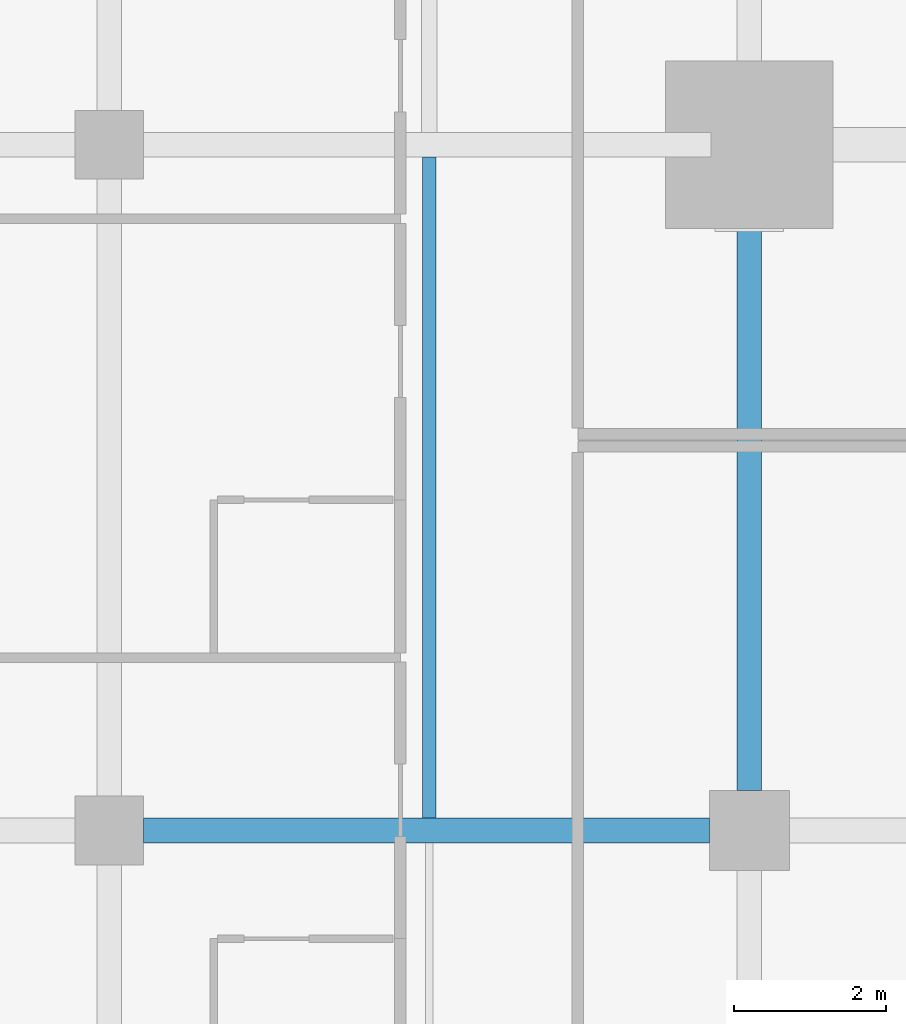
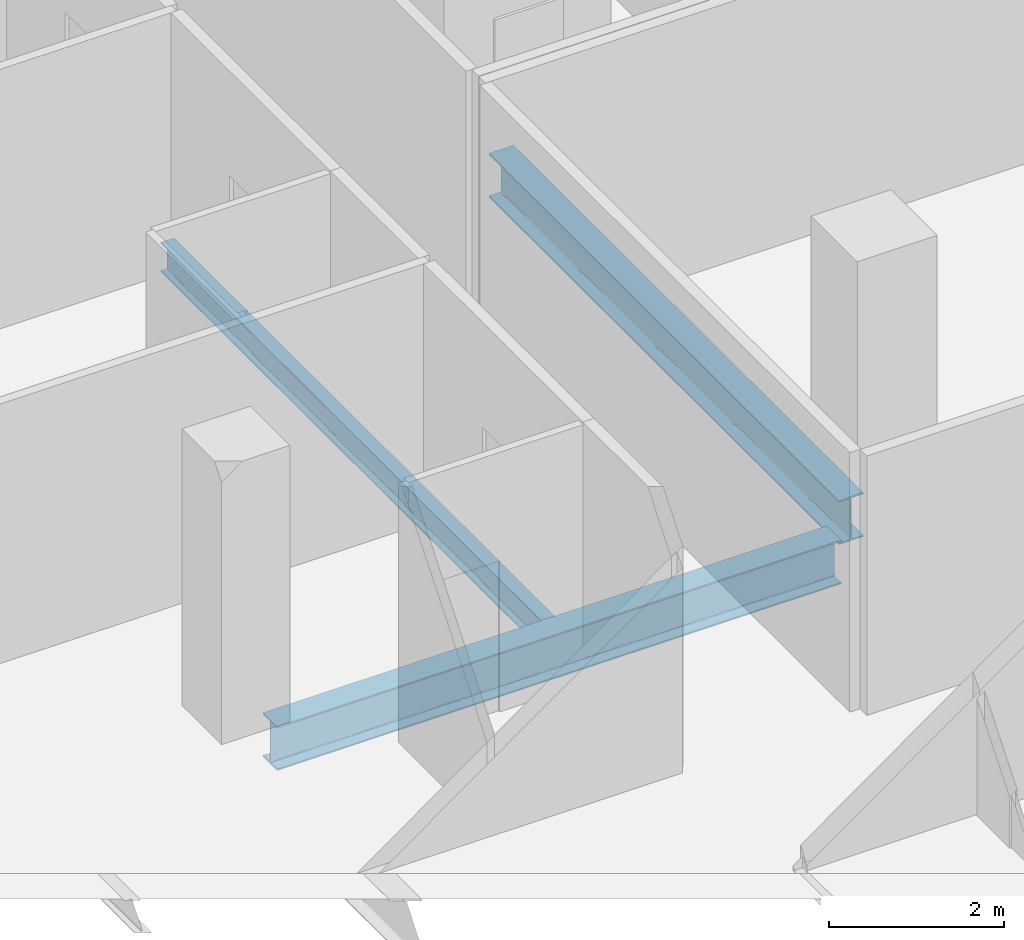
# One storey, part 11 of 40: 3 beams.
"""IFC4 building model written with IfcOpenShell, lengths in metres."""

import ifcopenshell
import ifcopenshell.guid

model = None  # the IFC model being written
_history = None  # IfcOwnerHistory: only IFC2X3 demands one
_inside = {}  # id of a spatial element -> (the spatial element, [elements in it])
_under = {}  # id of a project, library or spatial element -> (it, [spatial elements below it])
_declared = {}  # id of a project -> (the project, [libraries it declares])
_typed = {}  # id of a type object -> (the type object, [elements of that type])
_made_of = {}  # id of a material, layer set ... -> (it, [elements and type objects made of it])


def new_model(schema):
    """Start an empty IFC model of exactly this schema.

    Asked for "IFC4X3", IfcOpenShell would pick the latest addendum, in which some entities
    have other attributes; the version numbers below select the first issue.
    IFC2X3 requires an IfcOwnerHistory on every rooted entity: one is made here for all.
    """
    global model, _history
    if schema == "IFC4X3":
        model = ifcopenshell.file(schema_version=(4, 3, 0, 0))
    else:
        model = ifcopenshell.file(schema=schema)
    _inside.clear()
    _under.clear()
    _declared.clear()
    _typed.clear()
    _made_of.clear()
    _history = None
    if model.schema == "IFC2X3":
        org = make("IfcOrganization", Name="unknown")
        user = make(
            "IfcPersonAndOrganization",
            ThePerson=make("IfcPerson", FamilyName="unknown"),
            TheOrganization=org,
        )
        app = make(
            "IfcApplication",
            ApplicationDeveloper=org,
            Version="unknown",
            ApplicationFullName="unknown",
            ApplicationIdentifier="unknown",
        )
        _history = make(
            "IfcOwnerHistory",
            OwningUser=user,
            OwningApplication=app,
            ChangeAction="ADDED",
            CreationDate=0,
        )
    return model


def make(cls, **values):
    """One entity of the class cls with the attributes given. An attribute that is None is left unset."""
    return model.create_entity(
        cls, **{name: value for name, value in values.items() if value is not None}
    )


def rooted(cls, **values):
    """An entity with a GlobalId (a new one), such as an element, a storey or a relation."""
    return make(cls, GlobalId=ifcopenshell.guid.new(), OwnerHistory=_history, **values)


def si_unit(unit_type, name, prefix=None):
    """IfcSIUnit, for example si_unit("LENGTHUNIT", "METRE", prefix="MILLI")."""
    return make("IfcSIUnit", UnitType=unit_type, Prefix=prefix, Name=name)


def assignment(units):
    """IfcUnitAssignment: the units of a project."""
    return None if units is None else make("IfcUnitAssignment", Units=units)


def point(xyz):
    """IfcCartesianPoint."""
    return None if xyz is None else make("IfcCartesianPoint", Coordinates=xyz)


def direction(xyz):
    """IfcDirection."""
    return None if xyz is None else make("IfcDirection", DirectionRatios=xyz)


def frame(location, z_axis=None, x_axis=None):
    """IfcAxis2Placement3D, a coordinate frame: its origin and axes. An axis left out is left unset."""
    return make(
        "IfcAxis2Placement3D",
        Location=point(location),
        Axis=direction(z_axis),
        RefDirection=direction(x_axis),
    )


def frame_2d(location, x_axis=None):
    """IfcAxis2Placement2D, a coordinate frame in the plane: its origin and x axis."""
    return make(
        "IfcAxis2Placement2D", Location=point(location), RefDirection=direction(x_axis)
    )


def origin():
    """The frame at (0, 0, 0) with its axes left unset."""
    return frame((0.0, 0.0, 0.0))


def origin_2d():
    """The frame at (0, 0) in the plane with its x axis left unset."""
    return frame_2d((0.0, 0.0))


def place(relative_to, where):
    """IfcLocalPlacement: puts the frame where relative to a parent placement (None: the world)."""
    return make(
        "IfcLocalPlacement", PlacementRelTo=relative_to, RelativePlacement=where
    )


def context(
    kind, dimensions, precision=None, world=None, true_north=None, identifier=None
):
    """IfcGeometricRepresentationContext, for example the 3D "Model" context."""
    return make(
        "IfcGeometricRepresentationContext",
        ContextIdentifier=identifier,
        ContextType=kind,
        CoordinateSpaceDimension=dimensions,
        Precision=precision,
        WorldCoordinateSystem=world,
        TrueNorth=true_north,
    )


def subcontext(parent, identifier, kind, view, scale=None):
    """IfcGeometricRepresentationSubContext, for example "Body" below "Model"."""
    return make(
        "IfcGeometricRepresentationSubContext",
        ContextIdentifier=identifier,
        ContextType=kind,
        ParentContext=parent,
        TargetScale=scale,
        TargetView=view,
    )


def project(units=None, contexts=None):
    """IfcProject with its units and contexts."""
    return rooted(
        "IfcProject",
        Name="project",
        RepresentationContexts=contexts,
        UnitsInContext=assignment(units),
    )


def spatial(cls, under=None, at=None, **own):
    """A site, building, storey or space (cls), placed at a placement, below another one or the project."""
    s = rooted(cls, ObjectPlacement=at, **own)
    if under is not None:
        _under.setdefault(under.id(), (under, []))[1].append(s)
    return s


def profile(cls, at=None, kind="AREA", **sizes):
    """A parametric profile (cls). Its sizes go by their IFC names, for example OverallWidth=200.0."""
    return make(cls, ProfileType=kind, Position=at, **sizes)


def i_section(**sizes):
    """IfcIShapeProfileDef."""
    return profile("IfcIShapeProfileDef", **sizes)


def extrude(swept, where, along, depth):
    """IfcExtrudedAreaSolid: the profile swept, set in the frame where, extruded along a direction by depth."""
    return make(
        "IfcExtrudedAreaSolid",
        SweptArea=swept,
        Position=where,
        ExtrudedDirection=direction(along),
        Depth=depth,
    )


def shape(context_of_items, identifier, shape_type, items):
    """IfcShapeRepresentation: the items that make up one representation, for example the "Body"."""
    return make(
        "IfcShapeRepresentation",
        ContextOfItems=context_of_items,
        RepresentationIdentifier=identifier,
        RepresentationType=shape_type,
        Items=items,
    )


def material(Name=None, Category=None):
    """IfcMaterial."""
    return make("IfcMaterial", Name=Name, Category=Category)


def material_profile(
    of_material, cross_section, Name=None, Category=None, Priority=None
):
    """IfcMaterialProfile: a cross section and its material."""
    return make(
        "IfcMaterialProfile",
        Name=Name,
        Material=of_material,
        Profile=cross_section,
        Priority=Priority,
        Category=Category,
    )


def profile_set(profiles, Name=None, composite=None):
    """IfcMaterialProfileSet."""
    return make(
        "IfcMaterialProfileSet",
        Name=Name,
        MaterialProfiles=profiles,
        CompositeProfile=composite,
    )


def made_of(thing, what):
    """Note that an element or type object is made of a material, layer set ...; save() writes the relation."""
    if what is not None:
        _made_of.setdefault(what.id(), (what, []))[1].append(thing)
    return thing


def type_object(cls, material=None, **own):
    """A type object (cls), such as IfcWallType, which elements share."""
    return made_of(rooted(cls, **own), material)


def element(
    cls,
    number,
    at=None,
    inside=None,
    cuts=None,
    type_object=None,
    material=None,
    context=None,
    identifier="Body",
    shape_type=None,
    held_by="IfcProductDefinitionShape",
    body=None,
    shapes=None,
    **own,
):
    """One element of the class cls, such as IfcWall. Its Tag is "e" and its number.

    at: its placement. inside: the storey or other place that contains it. cuts: it is an
    opening in that element (IfcRelVoidsElement). A single representation is given by context,
    identifier, shape_type and body (its items); several are given by shapes. held_by: the class
    of the entity that holds the representations. save() writes the other relations.
    """
    e = rooted(cls, Tag="e%d" % number, ObjectPlacement=at, **own)
    if body is not None:
        shapes = [shape(context, identifier, shape_type, body)]
    if shapes is not None:
        e.Representation = make(held_by, Representations=shapes)
    if inside is not None:
        _inside.setdefault(inside.id(), (inside, []))[1].append(e)
    if cuts is not None:
        rooted(
            "IfcRelVoidsElement", RelatingBuildingElement=cuts, RelatedOpeningElement=e
        )
    if type_object is not None:
        _typed.setdefault(type_object.id(), (type_object, []))[1].append(e)
    return made_of(e, material)


def aggregate(whole, parts):
    """IfcRelAggregates: a whole, such as a stair, and the parts it consists of."""
    return rooted("IfcRelAggregates", RelatingObject=whole, RelatedObjects=parts)


def save(model, path):
    """Write the relations noted so far, then the file.

    IfcRelAggregates (storeys below a building ...), IfcRelContainedInSpatialStructure (elements
    in a storey), IfcRelDefinesByType, IfcRelAssociatesMaterial and IfcRelDeclares: one each for
    every whole, place, type object, material and project.
    """
    for whole, parts in _under.values():
        aggregate(whole, parts)
    for where, things in _inside.values():
        rooted(
            "IfcRelContainedInSpatialStructure",
            RelatedElements=things,
            RelatingStructure=where,
        )
    for kind, things in _typed.values():
        rooted("IfcRelDefinesByType", RelatedObjects=things, RelatingType=kind)
    for what, things in _made_of.values():
        rooted("IfcRelAssociatesMaterial", RelatedObjects=things, RelatingMaterial=what)
    for by, libraries in _declared.values():
        rooted("IfcRelDeclares", RelatingContext=by, RelatedDefinitions=libraries)
    model.write(path)


model = new_model("IFC4")

# Units and contexts
model_context = context("Model", 3, precision=1e-05, world=origin(), true_north=direction((0.0, 1.0)))
body_context = subcontext(model_context, "Body", "Model", "MODEL_VIEW")
ifc_project = project(units=[si_unit("LENGTHUNIT", "METRE"), si_unit("AREAUNIT", "SQUARE_METRE"), si_unit("VOLUMEUNIT", "CUBIC_METRE"), si_unit("PLANEANGLEUNIT", "RADIAN"), si_unit("MASSUNIT", "GRAM", prefix="KILO")], contexts=[model_context])

# Site, building, storey
site_placement = place(None, origin())
site = spatial("IfcSite", under=ifc_project, at=site_placement, CompositionType="ELEMENT")
building_placement = place(site_placement, origin())
building = spatial("IfcBuilding", under=site, at=building_placement, Name="Maruvema Waterfront Hotel and Observation Tower", CompositionType="ELEMENT")
storey_placement = place(building_placement, frame((0.0, 0.0, 96.25)))
storey = spatial("IfcBuildingStorey", under=building, at=storey_placement, Name="L23", CompositionType="ELEMENT", Elevation=96.25)

# Beams
ifc_material_1 = material(Name="Steel ASTM A572 Grade 50", Category="steel")
ifc_material_profile_1 = material_profile(ifc_material_1, i_section(OverallWidth=0.323974609375, OverallDepth=0.611083984375, WebThickness=0.0126953125, FlangeThickness=0.01904296875, FilletRadius=0.01806640625, at=origin_2d()), Name="W610x155.0")
ifc_profile_set_1 = profile_set([ifc_material_profile_1], Name="Steel ASTM A572 Grade 50")
beam_type_1 = type_object("IfcBeamType", Name="Primary Floor Girder W610x155.0", PredefinedType="BEAM", material=ifc_profile_set_1)
beam_1_placement = place(storey_placement, frame((17.25, 18.0, -0.54541015625), z_axis=(1.0, 0.0, 0.0), x_axis=(0.0, 1.0, 0.0)))
element("IfcBeam", 1, at=beam_1_placement, inside=storey, type_object=beam_type_1, Name="L23 Floor Girder EW-14", PredefinedType="BEAM", context=body_context, shape_type="SweptSolid", body=[
    extrude(i_section(OverallWidth=0.323974609375, OverallDepth=0.611083984375, WebThickness=0.0126953125, FlangeThickness=0.01904296875, FilletRadius=0.01806640625, at=origin_2d()), origin(), (0.0, 0.0, 1.0), 7.425048828125),
])
beam_2_placement = place(storey_placement, frame((25.199951171875, 18.52490234375, -0.54541015625), z_axis=(0.0, 1.0, 0.0), x_axis=(-1.0, 0.0, 0.0)))
element("IfcBeam", 2, at=beam_2_placement, inside=storey, type_object=beam_type_1, Name="L23 Floor Girder NS-13", PredefinedType="BEAM", context=body_context, shape_type="SweptSolid", body=[
    extrude(i_section(OverallWidth=0.323974609375, OverallDepth=0.611083984375, WebThickness=0.0126953125, FlangeThickness=0.01904296875, FilletRadius=0.01806640625, at=origin_2d()), origin(), (0.0, 0.0, 1.0), 7.97509765625),
])
ifc_material_2 = material(Name="Steel ASTM A572 Grade 50", Category="steel")
ifc_material_profile_2 = material_profile(ifc_material_2, i_section(OverallWidth=0.177001953125, OverallDepth=0.403076171875, WebThickness=0.007568359375, FlangeThickness=0.010986328125, FilletRadius=0.014892578125, at=origin_2d()), Name="W410x53.0")
ifc_profile_set_2 = profile_set([ifc_material_profile_2], Name="Steel ASTM A572 Grade 50")
beam_type_2 = type_object("IfcBeamType", Name="Secondary Floor Joist W410x53.0", PredefinedType="JOIST", material=ifc_profile_set_2)
beam_3_placement = place(storey_placement, frame((21.0, 18.162109375, -0.44140625), z_axis=(0.0, 1.0, 0.0), x_axis=(-1.0, 0.0, 0.0)))
element("IfcBeam", 3, at=beam_3_placement, inside=storey, type_object=beam_type_2, Name="L23 Secondary Floor Joist JS-07", PredefinedType="JOIST", context=body_context, shape_type="SweptSolid", body=[
    extrude(i_section(OverallWidth=0.177001953125, OverallDepth=0.403076171875, WebThickness=0.007568359375, FlangeThickness=0.010986328125, FilletRadius=0.014892578125, at=origin_2d()), origin(), (0.0, 0.0, 1.0), 8.67578125),
])

save(model, "model.ifc")
